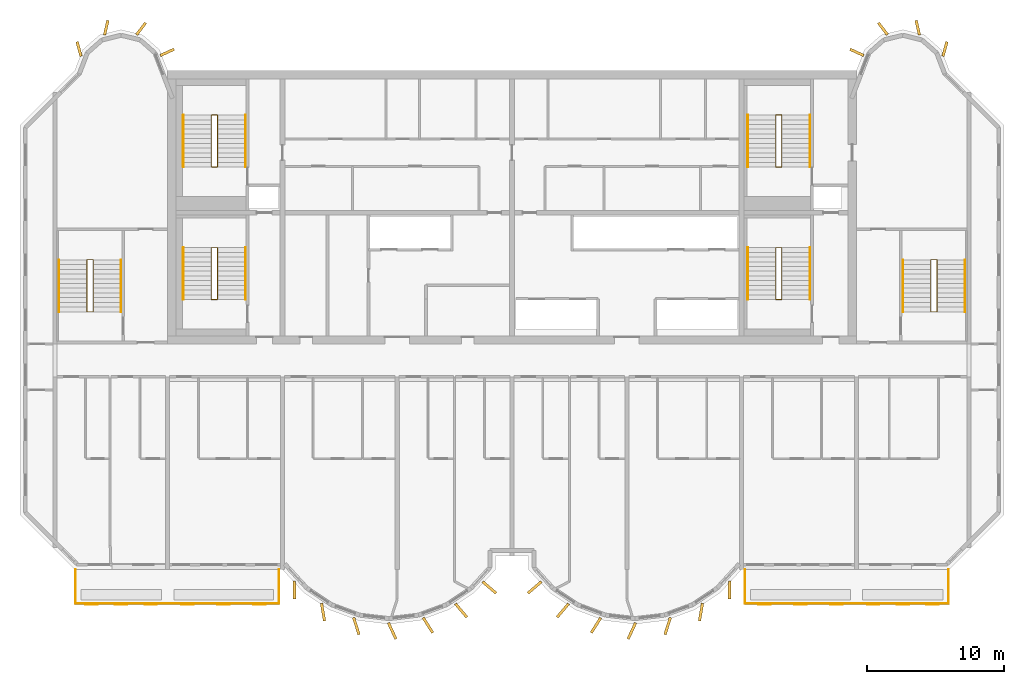
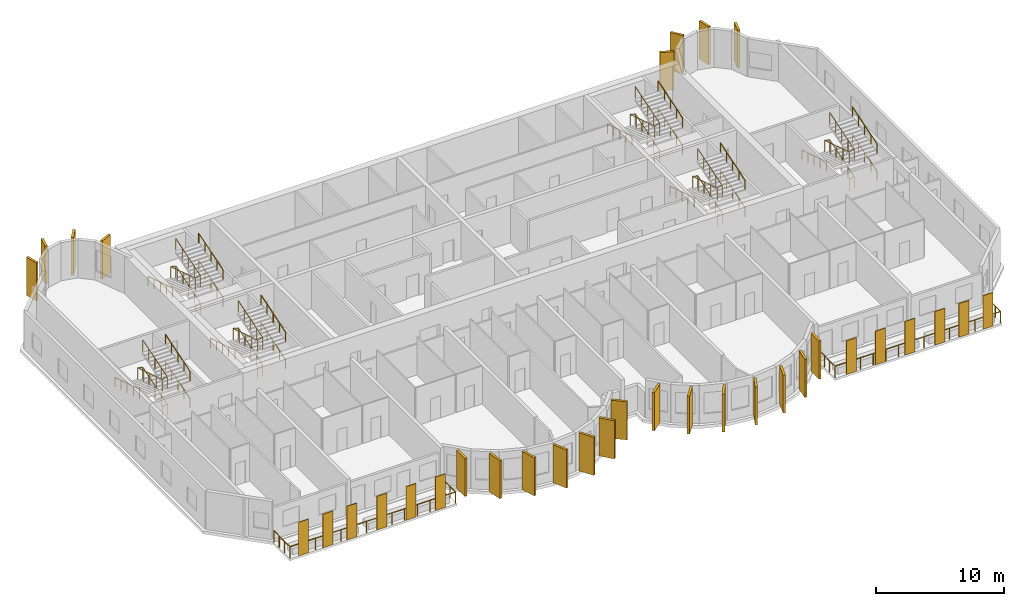
# One storey, part 10 of 11: 34 coverings, 26 railings.
"""IFC4 building model written with IfcOpenShell, lengths in metres."""

from ifc_helpers import new_model, si_unit, direction, frame, origin, origin_2d, place, context, subcontext, project, spatial, rectangle, circle, extrude, source, transform, mapped, material, layer, layer_set, material_profile, profile_set, type_object, element, save


model = new_model("IFC4")

# Units and contexts
model_context = context("Model", 3, precision=1e-05, world=origin(), true_north=direction((0.0, 1.0)))
body_context = subcontext(model_context, "Body", "Model", "MODEL_VIEW")
ifc_project = project(units=[si_unit("LENGTHUNIT", "METRE"), si_unit("AREAUNIT", "SQUARE_METRE"), si_unit("VOLUMEUNIT", "CUBIC_METRE"), si_unit("PLANEANGLEUNIT", "RADIAN"), si_unit("MASSUNIT", "GRAM", prefix="KILO")], contexts=[model_context])

# Site, building, storey
site_placement = place(None, origin())
site = spatial("IfcSite", under=ifc_project, at=site_placement, CompositionType="ELEMENT")
building_placement = place(site_placement, origin())
building = spatial("IfcBuilding", under=site, at=building_placement, Name="Vanashikhar Sky Hotel", CompositionType="ELEMENT")
storey_placement = place(building_placement, frame((0.0, 0.0, 260.800048828125)))
storey = spatial("IfcBuildingStorey", under=building, at=storey_placement, Name="L63", CompositionType="ELEMENT", Elevation=260.800048828125)

# Coverings
ifc_material_1 = material(Name="Terracotta", Category="masonry")
ifc_layer = layer(ifc_material_1, 0.06005859375)
ifc_layer_set = layer_set([ifc_layer], Name="Terracotta baguette screen")
covering_type_1 = type_object("IfcCoveringType", Name="Terracotta baguette screen", PredefinedType="CLADDING", material=ifc_layer_set)
shared_shape_1 = source(origin(), body_context, "Body", "SweptSolid", [
    extrude(rectangle(XDim=0.89990234375, YDim=0.06005859375, at=origin_2d()), origin(), (0.0, 0.0, 1.0), 3.199951171875),
])
for number, where, z_axis, x_axis, name in (
    (1, (19.63330078125, 2.929931640625, -0.0498046875), (0.0, 0.0, 1.0), (1.0, 0.0, 0.0), "Terracotta screen"),
    (2, (21.800048828125, 2.929931640625, -0.0498046875), (0.0, 0.0, 1.0), (1.0, 0.0, 0.0), "Terracotta screen"),
    (3, (23.966796875, 2.929931640625, -0.0498046875), (0.0, 0.0, 1.0), (1.0, 0.0, 0.0), "Terracotta screen"),
    (4, (26.666748046875, 2.929931640625, -0.0498046875), (0.0, 0.0, 1.0), (1.0, 0.0, 0.0), "Terracotta screen"),
    (5, (29.300048828125, 2.929931640625, -0.0498046875), (0.0, 0.0, 1.0), (1.0, 0.0, 0.0), "Terracotta screen"),
    (6, (31.933349609375, 2.929931640625, -0.0498046875), (0.0, 0.0, 1.0), (1.0, 0.0, 0.0), "Terracotta screen"),
    (7, (68.86669921875, 2.929931640625, -0.0498046875), (0.0, 0.0, 1.0), (1.0, 0.0, 0.0), "Terracotta screen"),
    (8, (71.5, 2.929931640625, -0.0498046875), (0.0, 0.0, 1.0), (1.0, 0.0, 0.0), "Terracotta screen"),
    (9, (74.13330078125, 2.929931640625, -0.0498046875), (0.0, 0.0, 1.0), (1.0, 0.0, 0.0), "Terracotta screen"),
    (10, (76.833251953125, 2.929931640625, -0.0498046875), (0.0, 0.0, 1.0), (1.0, 0.0, 0.0), "Terracotta screen"),
    (11, (79.0, 2.929931640625, -0.0498046875), (0.0, 0.0, 1.0), (1.0, 0.0, 0.0), "Terracotta screen"),
    (12, (81.166748046875, 2.929931640625, -0.0498046875), (0.0, 0.0, 1.0), (1.0, 0.0, 0.0), "Terracotta screen"),
):
    element("IfcCovering", number, at=place(storey_placement, frame(where, z_axis=z_axis, x_axis=x_axis)), inside=storey, type_object=covering_type_1, Name=name, PredefinedType="CLADDING", context=body_context, shape_type="MappedRepresentation", body=[
        mapped(shared_shape_1, transform((0.0, 0.0, 0.0), scale=1.0)),
    ])

# Railings
ifc_material_2 = material(Name="Stainless steel 316", Category="steel")
railing_type_1 = type_object("IfcRailingType", Name="Balcony guard 1100", PredefinedType="GUARDRAIL", material=ifc_material_2)
shared_shape_2 = source(origin(), body_context, "Body", "SweptSolid", [
    extrude(circle(Radius=0.02392578125, at=origin_2d()), frame((0.0, 0.0, 1.076171875), z_axis=(0.0, -1.0, 0.0), x_axis=(1.0, 0.0, 0.0)), (0.0, 0.0, 1.0), 2.5),
    extrude(circle(Radius=0.02392578125, at=origin_2d()), frame((0.0, -2.5, 1.076171875), z_axis=(1.0, 0.0, 0.0), x_axis=(0.0, 1.0, 0.0)), (0.0, 0.0, 1.0), 14.880126953125),
    extrude(circle(Radius=0.02392578125, at=origin_2d()), frame((14.880126953125, -2.5, 1.076171875), z_axis=(0.0, 1.0, 0.0), x_axis=(-1.0, 0.0, 0.0)), (0.0, 0.0, 1.0), 2.5),
    extrude(circle(Radius=0.02099609375, at=origin_2d()), origin(), (0.0, 0.0, 1.0), 1.052001953125),
    extrude(circle(Radius=0.02099609375, at=origin_2d()), frame((0.0, -0.833251953125, 0.0)), (0.0, 0.0, 1.0), 1.052001953125),
    extrude(circle(Radius=0.02099609375, at=origin_2d()), frame((0.0, -1.666748046875, 0.0)), (0.0, 0.0, 1.0), 1.052001953125),
    extrude(circle(Radius=0.02099609375, at=origin_2d()), frame((0.0, -2.5, 0.0)), (0.0, 0.0, 1.0), 1.052001953125),
    extrude(circle(Radius=0.02099609375, at=origin_2d()), frame((1.14453125, -2.5, 0.0)), (0.0, 0.0, 1.0), 1.052001953125),
    extrude(circle(Radius=0.02099609375, at=origin_2d()), frame((2.289306640625, -2.5, 0.0)), (0.0, 0.0, 1.0), 1.052001953125),
    extrude(circle(Radius=0.02099609375, at=origin_2d()), frame((3.433837890625, -2.5, 0.0)), (0.0, 0.0, 1.0), 1.052001953125),
    extrude(circle(Radius=0.02099609375, at=origin_2d()), frame((4.57861328125, -2.5, 0.0)), (0.0, 0.0, 1.0), 1.052001953125),
    extrude(circle(Radius=0.02099609375, at=origin_2d()), frame((5.72314453125, -2.5, 0.0)), (0.0, 0.0, 1.0), 1.052001953125),
    extrude(circle(Radius=0.02099609375, at=origin_2d()), frame((6.86767578125, -2.5, 0.0)), (0.0, 0.0, 1.0), 1.052001953125),
    extrude(circle(Radius=0.02099609375, at=origin_2d()), frame((8.012451171875, -2.5, 0.0)), (0.0, 0.0, 1.0), 1.052001953125),
    extrude(circle(Radius=0.02099609375, at=origin_2d()), frame((9.156982421875, -2.5, 0.0)), (0.0, 0.0, 1.0), 1.052001953125),
    extrude(circle(Radius=0.02099609375, at=origin_2d()), frame((10.301513671875, -2.5, 0.0)), (0.0, 0.0, 1.0), 1.052001953125),
    extrude(circle(Radius=0.02099609375, at=origin_2d()), frame((11.4462890625, -2.5, 0.0)), (0.0, 0.0, 1.0), 1.052001953125),
    extrude(circle(Radius=0.02099609375, at=origin_2d()), frame((12.5908203125, -2.5, 0.0)), (0.0, 0.0, 1.0), 1.052001953125),
    extrude(circle(Radius=0.02099609375, at=origin_2d()), frame((13.735595703125, -2.5, 0.0)), (0.0, 0.0, 1.0), 1.052001953125),
    extrude(circle(Radius=0.02099609375, at=origin_2d()), frame((14.880126953125, -2.5, 0.0)), (0.0, 0.0, 1.0), 1.052001953125),
    extrude(circle(Radius=0.02099609375, at=origin_2d()), frame((14.880126953125, -1.666748046875, 0.0)), (0.0, 0.0, 1.0), 1.052001953125),
    extrude(circle(Radius=0.02099609375, at=origin_2d()), frame((14.880126953125, -0.833251953125, 0.0)), (0.0, 0.0, 1.0), 1.052001953125),
    extrude(circle(Radius=0.02099609375, at=origin_2d()), frame((14.880126953125, 0.0, 0.0)), (0.0, 0.0, 1.0), 1.052001953125),
])
for number, where, name in (
    (13, (18.4599609375, 5.5, -0.050048828125), "Balcony guard"),
    (14, (67.4599609375, 5.5, -0.050048828125), "Balcony guard"),
):
    element("IfcRailing", number, at=place(storey_placement, frame(where)), inside=storey, type_object=railing_type_1, Name=name, PredefinedType="GUARDRAIL", context=body_context, shape_type="MappedRepresentation", body=[
        mapped(shared_shape_2, transform((0.0, 0.0, 0.0), scale=1.0)),
    ])

# Coverings
ifc_material_3 = material(Name="Concrete M60 dark", Category="concrete")
ifc_material_profile_1 = material_profile(ifc_material_3, rectangle(XDim=1.300048828125, YDim=0.199951171875, at=origin_2d()))
ifc_profile_set_1 = profile_set([ifc_material_profile_1], Name="Fin 1300 x 200")
covering_type_2 = type_object("IfcCoveringType", Name="Fin 1300 x 200", PredefinedType="CLADDING", material=ifc_profile_set_1)
shared_shape_3 = source(origin(), body_context, "Body", "SweptSolid", [
    extrude(rectangle(XDim=1.300048828125, YDim=0.199951171875, at=origin_2d()), origin(), (0.0, 0.0, 1.0), 3.619873046875),
])
for number, where, z_axis, x_axis, name in (
    (15, (34.482421875, 3.992919921875, 0.0), (0.0, 0.0, 1.0), (0.011588726826, -0.999932848451, 0.0), "Fin F1-1"),
    (16, (36.572509765625, 2.3779296875, 0.0), (0.0, 0.0, 1.0), (0.16989991575, -0.985461322746, 0.0), "Fin F1-2"),
    (17, (39.00830078125, 1.35693359375, 0.0), (0.0, 0.0, 1.0), (0.303966551867, -0.952682704444, 0.0), "Fin F1-3"),
    (18, (41.63232421875, 1.00146484375, 0.0), (0.0, 0.0, 1.0), (0.422618261741, -0.906307787037, 0.0), "Fin F1-4"),
    (19, (44.251953125, 1.416015625, 0.0), (0.0, 0.0, 1.0), (0.534411358496, -0.845224526331, 0.0), "Fin F1-5"),
    (20, (46.676025390625, 2.5, 0.0), (0.0, 0.0, 1.0), (0.645697609467, -0.763593214433, 0.0), "Fin F1-6"),
    (21, (48.7412109375, 4.1845703125, 0.0), (0.0, 0.0, 1.0), (0.758543912032, -0.65162192529, 0.0), "Fin F1-7"),
    (22, (52.058837890625, 4.1845703125, 0.0), (0.0, 0.0, 1.0), (-0.758543912032, -0.65162192529, 0.0), "Fin F2-1"),
    (23, (54.123779296875, 2.5, 0.0), (0.0, 0.0, 1.0), (-0.645697609467, -0.763593214433, 0.0), "Fin F2-2"),
    (24, (56.547119140625, 1.416015625, 0.0), (0.0, 0.0, 1.0), (-0.534411358496, -0.845224526331, 0.0), "Fin F2-3"),
    (25, (59.16748046875, 1.00146484375, 0.0), (0.0, 0.0, 1.0), (-0.422618261741, -0.906307787037, 0.0), "Fin F2-4"),
    (26, (61.790771484375, 1.35693359375, 0.0), (0.0, 0.0, 1.0), (-0.303966551867, -0.952682704444, 0.0), "Fin F2-5"),
    (27, (64.2275390625, 2.3779296875, 0.0), (0.0, 0.0, 1.0), (-0.16989991575, -0.985461322746, 0.0), "Fin F2-6"),
    (28, (66.317626953125, 3.992919921875, 0.0), (0.0, 0.0, 1.0), (-0.011588726826, -0.999932848451, 0.0), "Fin F2-7"),
):
    element("IfcCovering", number, at=place(storey_placement, frame(where, z_axis=z_axis, x_axis=x_axis)), inside=storey, type_object=covering_type_2, Name=name, PredefinedType="CLADDING", context=body_context, shape_type="MappedRepresentation", body=[
        mapped(shared_shape_3, transform((0.0, 0.0, 0.0), scale=1.0)),
    ])
ifc_material_profile_2 = material_profile(ifc_material_3, rectangle(XDim=1.10009765625, YDim=0.199951171875, at=origin_2d()))
ifc_profile_set_2 = profile_set([ifc_material_profile_2], Name="Rear lobe fin 1100 x 200")
covering_type_3 = type_object("IfcCoveringType", Name="Rear lobe fin 1100 x 200", PredefinedType="CLADDING", material=ifc_profile_set_2)
shared_shape_4 = source(origin(), body_context, "Body", "SweptSolid", [
    extrude(rectangle(XDim=1.10009765625, YDim=0.199951171875, at=origin_2d()), origin(), (0.0, 0.0, 1.0), 3.619873046875),
])
for number, where, z_axis, x_axis, name in (
    (29, (18.720703125, 43.580078125, 0.0), (0.0, 0.0, 1.0), (-0.262711264409, 0.964874495234, 0.0), "Fin R1-1"),
    (30, (20.710205078125, 45.1455078125, 0.0), (0.0, 0.0, 1.0), (0.224644935864, 0.974440687159, 0.0), "Fin R1-2"),
    (31, (23.261962890625, 45.06640625, 0.0), (0.0, 0.0, 1.0), (0.602065892195, 0.798446404874, 0.0), "Fin R1-3"),
    (32, (25.169677734375, 43.33447265625, 0.0), (0.0, 0.0, 1.0), (0.908004291068, 0.418960866193, 0.0), "Fin R1-4"),
    (33, (75.63037109375, 43.33447265625, 0.0), (0.0, 0.0, 1.0), (-0.908004291068, 0.418960866193, 0.0), "Fin R2-1"),
    (34, (77.5380859375, 45.06640625, 0.0), (0.0, 0.0, 1.0), (-0.602065892195, 0.798446404874, 0.0), "Fin R2-2"),
    (35, (80.08984375, 45.1455078125, 0.0), (0.0, 0.0, 1.0), (-0.224644935864, 0.974440687159, 0.0), "Fin R2-3"),
    (36, (82.0791015625, 43.580078125, 0.0), (0.0, 0.0, 1.0), (0.262711264409, 0.964874495234, 0.0), "Fin R2-4"),
):
    element("IfcCovering", number, at=place(storey_placement, frame(where, z_axis=z_axis, x_axis=x_axis)), inside=storey, type_object=covering_type_3, Name=name, PredefinedType="CLADDING", context=body_context, shape_type="MappedRepresentation", body=[
        mapped(shared_shape_4, transform((0.0, 0.0, 0.0), scale=1.0)),
    ])

# Railings
ifc_material_4 = material(Name="Steel S355", Category="steel")
railing_type_2 = type_object("IfcRailingType", Name="Stair handrail 900", PredefinedType="HANDRAIL", material=ifc_material_4)
shared_shape_5 = source(origin(), body_context, "Body", "SweptSolid", [
    extrude(circle(Radius=0.02392578125, at=origin_2d()), frame((0.0, 0.0, 0.8759765625), z_axis=(0.0, 0.95418390146, 0.299220791714), x_axis=(-1.0, 0.0, 0.0)), (0.0, 0.0, 1.0), 3.982421875),
    extrude(circle(Radius=0.02099609375, at=origin_2d()), origin(), (0.0, 0.0, 1.0), 0.851806640625),
    extrude(circle(Radius=0.02099609375, at=origin_2d()), frame((0.0, 0.949951171875, 0.2978515625)), (0.0, 0.0, 1.0), 0.851806640625),
    extrude(circle(Radius=0.02099609375, at=origin_2d()), frame((0.0, 1.89990234375, 0.595703125)), (0.0, 0.0, 1.0), 0.851806640625),
    extrude(circle(Radius=0.02099609375, at=origin_2d()), frame((0.0, 2.85009765625, 0.893798828125)), (0.0, 0.0, 1.0), 0.851806640625),
    extrude(circle(Radius=0.02099609375, at=origin_2d()), frame((0.0, 3.800048828125, 1.191650390625)), (0.0, 0.0, 1.0), 0.851806640625),
])
for number, where, name in (
    (37, (30.89990234375, 25.25, 0.1083984375), "Exit stair 1 handrail"),
    (38, (30.89990234375, 25.25, 2.708251953125), "Exit stair 1 handrail"),
    (39, (72.199951171875, 25.25, 0.1083984375), "Exit stair 2 handrail"),
    (40, (72.199951171875, 25.25, 2.708251953125), "Exit stair 2 handrail"),
    (41, (30.89990234375, 34.949951171875, 0.1083984375), "Exit stair 5 handrail"),
    (42, (30.89990234375, 34.949951171875, 2.708251953125), "Exit stair 5 handrail"),
    (43, (72.199951171875, 34.949951171875, 0.1083984375), "Exit stair 6 handrail"),
    (44, (72.199951171875, 34.949951171875, 2.708251953125), "Exit stair 6 handrail"),
):
    element("IfcRailing", number, at=place(storey_placement, frame(where)), inside=storey, type_object=railing_type_2, Name=name, PredefinedType="HANDRAIL", context=body_context, shape_type="MappedRepresentation", body=[
        mapped(shared_shape_5, transform((0.0, 0.0, 0.0), scale=1.0)),
    ])
shared_shape_6 = source(origin(), body_context, "Body", "SweptSolid", [
    extrude(circle(Radius=0.02392578125, at=origin_2d()), frame((0.0, 0.0, 0.8759765625), z_axis=(0.0, -0.95418390146, 0.299220791714), x_axis=(1.0, 0.0, 0.0)), (0.0, 0.0, 1.0), 3.982421875),
    extrude(circle(Radius=0.02099609375, at=origin_2d()), origin(), (0.0, 0.0, 1.0), 0.851806640625),
    extrude(circle(Radius=0.02099609375, at=origin_2d()), frame((0.0, -0.949951171875, 0.2978515625)), (0.0, 0.0, 1.0), 0.851806640625),
    extrude(circle(Radius=0.02099609375, at=origin_2d()), frame((0.0, -1.89990234375, 0.595703125)), (0.0, 0.0, 1.0), 0.851806640625),
    extrude(circle(Radius=0.02099609375, at=origin_2d()), frame((0.0, -2.85009765625, 0.893798828125)), (0.0, 0.0, 1.0), 0.851806640625),
    extrude(circle(Radius=0.02099609375, at=origin_2d()), frame((0.0, -3.800048828125, 1.191650390625)), (0.0, 0.0, 1.0), 0.851806640625),
])
for number, where, name in (
    (45, (26.35009765625, 29.050048828125, 1.408203125), "Exit stair 1 handrail"),
    (46, (67.64990234375, 29.050048828125, 1.408203125), "Exit stair 2 handrail"),
    (47, (26.35009765625, 38.75, 1.408203125), "Exit stair 5 handrail"),
    (48, (67.64990234375, 38.75, 1.408203125), "Exit stair 6 handrail"),
):
    element("IfcRailing", number, at=place(storey_placement, frame(where)), inside=storey, type_object=railing_type_2, Name=name, PredefinedType="HANDRAIL", context=body_context, shape_type="MappedRepresentation", body=[
        mapped(shared_shape_6, transform((0.0, 0.0, 0.0), scale=1.0)),
    ])
railing_type_3 = type_object("IfcRailingType", Name="Stair guard 1100", PredefinedType="GUARDRAIL", material=ifc_material_4)
shared_shape_7 = source(origin(), body_context, "Body", "SweptSolid", [
    extrude(circle(Radius=0.02392578125, at=origin_2d()), frame((0.0, 0.0, 1.076171875), z_axis=(0.972214749574, 0.0, 0.234090753151), x_axis=(0.0, 1.0, 0.0)), (0.0, 0.0, 1.0), 0.463134765625),
    extrude(circle(Radius=0.02392578125, at=origin_2d()), frame((0.4501953125, 0.0, 1.1845703125), z_axis=(0.0, 0.95418390146, 0.299220791714), x_axis=(-1.0, 0.0, 0.0)), (0.0, 0.0, 1.0), 3.982421875),
    extrude(circle(Radius=0.02392578125, at=origin_2d()), frame((0.4501953125, 3.800048828125, 2.3759765625), z_axis=(-0.972334627364, 0.0, 0.233592320999), x_axis=(0.0, -1.0, 0.0)), (0.0, 0.0, 1.0), 0.462890625),
    extrude(circle(Radius=0.02392578125, at=origin_2d()), frame((0.0, 3.800048828125, 2.484375), z_axis=(0.0, -0.95418390146, 0.299220791714), x_axis=(1.0, 0.0, 0.0)), (0.0, 0.0, 1.0), 3.982421875),
    extrude(circle(Radius=0.02392578125, at=origin_2d()), frame((0.0, 0.0, 3.67578125), z_axis=(0.972214749574, 0.0, 0.234090753151), x_axis=(0.0, 1.0, 0.0)), (0.0, 0.0, 1.0), 0.463134765625),
    extrude(circle(Radius=0.02392578125, at=origin_2d()), frame((0.4501953125, 0.0, 3.7841796875), z_axis=(0.0, 0.95418390146, 0.299220791714), x_axis=(-1.0, 0.0, 0.0)), (0.0, 0.0, 1.0), 3.982421875),
    extrude(circle(Radius=0.02099609375, at=origin_2d()), origin(), (0.0, 0.0, 1.0), 1.052001953125),
    extrude(circle(Radius=0.02099609375, at=origin_2d()), frame((0.4501953125, 0.0, 0.1083984375)), (0.0, 0.0, 1.0), 1.052001953125),
    extrude(circle(Radius=0.02099609375, at=origin_2d()), frame((0.4501953125, 0.949951171875, 0.40625)), (0.0, 0.0, 1.0), 1.052001953125),
    extrude(circle(Radius=0.02099609375, at=origin_2d()), frame((0.4501953125, 1.89990234375, 0.7041015625)), (0.0, 0.0, 1.0), 1.052001953125),
    extrude(circle(Radius=0.02099609375, at=origin_2d()), frame((0.4501953125, 2.85009765625, 1.002197265625)), (0.0, 0.0, 1.0), 1.052001953125),
    extrude(circle(Radius=0.02099609375, at=origin_2d()), frame((0.4501953125, 3.800048828125, 1.300048828125)), (0.0, 0.0, 1.0), 1.052001953125),
    extrude(circle(Radius=0.02099609375, at=origin_2d()), frame((0.0, 3.800048828125, 1.408203125)), (0.0, 0.0, 1.0), 1.052001953125),
    extrude(circle(Radius=0.02099609375, at=origin_2d()), frame((0.0, 2.85009765625, 1.7060546875)), (0.0, 0.0, 1.0), 1.052001953125),
    extrude(circle(Radius=0.02099609375, at=origin_2d()), frame((0.0, 1.89990234375, 2.00390625)), (0.0, 0.0, 1.0), 1.052001953125),
    extrude(circle(Radius=0.02099609375, at=origin_2d()), frame((0.0, 0.949951171875, 2.302001953125)), (0.0, 0.0, 1.0), 1.052001953125),
    extrude(circle(Radius=0.02099609375, at=origin_2d()), frame((0.0, 0.0, 2.599853515625)), (0.0, 0.0, 1.0), 1.052001953125),
    extrude(circle(Radius=0.02099609375, at=origin_2d()), frame((0.4501953125, 0.0, 2.708251953125)), (0.0, 0.0, 1.0), 1.052001953125),
    extrude(circle(Radius=0.02099609375, at=origin_2d()), frame((0.4501953125, 0.949951171875, 3.006103515625)), (0.0, 0.0, 1.0), 1.052001953125),
    extrude(circle(Radius=0.02099609375, at=origin_2d()), frame((0.4501953125, 1.89990234375, 3.30419921875)), (0.0, 0.0, 1.0), 1.052001953125),
    extrude(circle(Radius=0.02099609375, at=origin_2d()), frame((0.4501953125, 2.85009765625, 3.60205078125)), (0.0, 0.0, 1.0), 1.052001953125),
    extrude(circle(Radius=0.02099609375, at=origin_2d()), frame((0.4501953125, 3.800048828125, 3.89990234375)), (0.0, 0.0, 1.0), 1.052001953125),
])
for number, where, name in (
    (49, (28.39990234375, 25.25, 0.0), "Exit stair 1 guard"),
    (50, (28.39990234375, 34.949951171875, 0.0), "Exit stair 5 guard"),
):
    element("IfcRailing", number, at=place(storey_placement, frame(where)), inside=storey, type_object=railing_type_3, Name=name, PredefinedType="GUARDRAIL", context=body_context, shape_type="MappedRepresentation", body=[
        mapped(shared_shape_7, transform((0.0, 0.0, 0.0), scale=1.0)),
    ])
shared_shape_8 = source(origin(), body_context, "Body", "SweptSolid", [
    extrude(circle(Radius=0.02392578125, at=origin_2d()), frame((0.0, 0.0, 1.076171875), z_axis=(0.972185835864, 0.0, 0.234210803648), x_axis=(0.0, 1.0, 0.0)), (0.0, 0.0, 1.0), 0.462890625),
    extrude(circle(Radius=0.02392578125, at=origin_2d()), frame((0.449951171875, 0.0, 1.1845703125), z_axis=(0.0, 0.95418390146, 0.299220791714), x_axis=(-1.0, 0.0, 0.0)), (0.0, 0.0, 1.0), 3.982421875),
    extrude(circle(Radius=0.02392578125, at=origin_2d()), frame((0.449951171875, 3.800048828125, 2.3759765625), z_axis=(-0.972305833095, 0.0, 0.233712145448), x_axis=(0.0, -1.0, 0.0)), (0.0, 0.0, 1.0), 0.462646484375),
    extrude(circle(Radius=0.02392578125, at=origin_2d()), frame((0.0, 3.800048828125, 2.484375), z_axis=(0.0, -0.95418390146, 0.299220791714), x_axis=(1.0, 0.0, 0.0)), (0.0, 0.0, 1.0), 3.982421875),
    extrude(circle(Radius=0.02392578125, at=origin_2d()), frame((0.0, 0.0, 3.67578125), z_axis=(0.972185835864, 0.0, 0.234210803648), x_axis=(0.0, 1.0, 0.0)), (0.0, 0.0, 1.0), 0.462890625),
    extrude(circle(Radius=0.02392578125, at=origin_2d()), frame((0.449951171875, 0.0, 3.7841796875), z_axis=(0.0, 0.95418390146, 0.299220791714), x_axis=(-1.0, 0.0, 0.0)), (0.0, 0.0, 1.0), 3.982421875),
    extrude(circle(Radius=0.02099609375, at=origin_2d()), origin(), (0.0, 0.0, 1.0), 1.052001953125),
    extrude(circle(Radius=0.02099609375, at=origin_2d()), frame((0.449951171875, 0.0, 0.1083984375)), (0.0, 0.0, 1.0), 1.052001953125),
    extrude(circle(Radius=0.02099609375, at=origin_2d()), frame((0.449951171875, 0.949951171875, 0.40625)), (0.0, 0.0, 1.0), 1.052001953125),
    extrude(circle(Radius=0.02099609375, at=origin_2d()), frame((0.449951171875, 1.89990234375, 0.7041015625)), (0.0, 0.0, 1.0), 1.052001953125),
    extrude(circle(Radius=0.02099609375, at=origin_2d()), frame((0.449951171875, 2.85009765625, 1.002197265625)), (0.0, 0.0, 1.0), 1.052001953125),
    extrude(circle(Radius=0.02099609375, at=origin_2d()), frame((0.449951171875, 3.800048828125, 1.300048828125)), (0.0, 0.0, 1.0), 1.052001953125),
    extrude(circle(Radius=0.02099609375, at=origin_2d()), frame((0.0, 3.800048828125, 1.408203125)), (0.0, 0.0, 1.0), 1.052001953125),
    extrude(circle(Radius=0.02099609375, at=origin_2d()), frame((0.0, 2.85009765625, 1.7060546875)), (0.0, 0.0, 1.0), 1.052001953125),
    extrude(circle(Radius=0.02099609375, at=origin_2d()), frame((0.0, 1.89990234375, 2.00390625)), (0.0, 0.0, 1.0), 1.052001953125),
    extrude(circle(Radius=0.02099609375, at=origin_2d()), frame((0.0, 0.949951171875, 2.302001953125)), (0.0, 0.0, 1.0), 1.052001953125),
    extrude(circle(Radius=0.02099609375, at=origin_2d()), frame((0.0, 0.0, 2.599853515625)), (0.0, 0.0, 1.0), 1.052001953125),
    extrude(circle(Radius=0.02099609375, at=origin_2d()), frame((0.449951171875, 0.0, 2.708251953125)), (0.0, 0.0, 1.0), 1.052001953125),
    extrude(circle(Radius=0.02099609375, at=origin_2d()), frame((0.449951171875, 0.949951171875, 3.006103515625)), (0.0, 0.0, 1.0), 1.052001953125),
    extrude(circle(Radius=0.02099609375, at=origin_2d()), frame((0.449951171875, 1.89990234375, 3.30419921875)), (0.0, 0.0, 1.0), 1.052001953125),
    extrude(circle(Radius=0.02099609375, at=origin_2d()), frame((0.449951171875, 2.85009765625, 3.60205078125)), (0.0, 0.0, 1.0), 1.052001953125),
    extrude(circle(Radius=0.02099609375, at=origin_2d()), frame((0.449951171875, 3.800048828125, 3.89990234375)), (0.0, 0.0, 1.0), 1.052001953125),
])
for number, where, name in (
    (51, (69.699951171875, 25.25, 0.0), "Exit stair 2 guard"),
    (52, (69.699951171875, 34.949951171875, 0.0), "Exit stair 6 guard"),
):
    element("IfcRailing", number, at=place(storey_placement, frame(where)), inside=storey, type_object=railing_type_3, Name=name, PredefinedType="GUARDRAIL", context=body_context, shape_type="MappedRepresentation", body=[
        mapped(shared_shape_8, transform((0.0, 0.0, 0.0), scale=1.0)),
    ])
shared_shape_9 = source(origin(), body_context, "Body", "SweptSolid", [
    extrude(circle(Radius=0.02392578125, at=origin_2d()), frame((0.0, 0.0, 0.8759765625), z_axis=(0.0, 0.954178412317, 0.299238295459), x_axis=(-1.0, 0.0, 0.0)), (0.0, 0.0, 1.0), 3.982177734375),
    extrude(circle(Radius=0.02099609375, at=origin_2d()), origin(), (0.0, 0.0, 1.0), 0.851806640625),
    extrude(circle(Radius=0.02099609375, at=origin_2d()), frame((0.0, 0.949951171875, 0.2978515625)), (0.0, 0.0, 1.0), 0.851806640625),
    extrude(circle(Radius=0.02099609375, at=origin_2d()), frame((0.0, 1.89990234375, 0.595703125)), (0.0, 0.0, 1.0), 0.851806640625),
    extrude(circle(Radius=0.02099609375, at=origin_2d()), frame((0.0, 2.849853515625, 0.893798828125)), (0.0, 0.0, 1.0), 0.851806640625),
    extrude(circle(Radius=0.02099609375, at=origin_2d()), frame((0.0, 3.7998046875, 1.191650390625)), (0.0, 0.0, 1.0), 0.851806640625),
])
for number, where, name in (
    (53, (21.800048828125, 24.35009765625, 0.1083984375), "Exit stair 3 handrail"),
    (54, (21.800048828125, 24.35009765625, 2.708251953125), "Exit stair 3 handrail"),
    (55, (83.550048828125, 24.35009765625, 0.1083984375), "Exit stair 4 handrail"),
    (56, (83.550048828125, 24.35009765625, 2.708251953125), "Exit stair 4 handrail"),
):
    element("IfcRailing", number, at=place(storey_placement, frame(where)), inside=storey, type_object=railing_type_2, Name=name, PredefinedType="HANDRAIL", context=body_context, shape_type="MappedRepresentation", body=[
        mapped(shared_shape_9, transform((0.0, 0.0, 0.0), scale=1.0)),
    ])
shared_shape_10 = source(origin(), body_context, "Body", "SweptSolid", [
    extrude(circle(Radius=0.02392578125, at=origin_2d()), frame((0.0, 0.0, 0.8759765625), z_axis=(0.0, -0.954178412317, 0.299238295459), x_axis=(1.0, 0.0, 0.0)), (0.0, 0.0, 1.0), 3.982177734375),
    extrude(circle(Radius=0.02099609375, at=origin_2d()), origin(), (0.0, 0.0, 1.0), 0.851806640625),
    extrude(circle(Radius=0.02099609375, at=origin_2d()), frame((0.0, -0.949951171875, 0.2978515625)), (0.0, 0.0, 1.0), 0.851806640625),
    extrude(circle(Radius=0.02099609375, at=origin_2d()), frame((0.0, -1.89990234375, 0.595703125)), (0.0, 0.0, 1.0), 0.851806640625),
    extrude(circle(Radius=0.02099609375, at=origin_2d()), frame((0.0, -2.849853515625, 0.893798828125)), (0.0, 0.0, 1.0), 0.851806640625),
    extrude(circle(Radius=0.02099609375, at=origin_2d()), frame((0.0, -3.7998046875, 1.191650390625)), (0.0, 0.0, 1.0), 0.851806640625),
])
for number, where, name in (
    (57, (17.25, 28.14990234375, 1.408203125), "Exit stair 3 handrail"),
    (58, (79.0, 28.14990234375, 1.408203125), "Exit stair 4 handrail"),
):
    element("IfcRailing", number, at=place(storey_placement, frame(where)), inside=storey, type_object=railing_type_2, Name=name, PredefinedType="HANDRAIL", context=body_context, shape_type="MappedRepresentation", body=[
        mapped(shared_shape_10, transform((0.0, 0.0, 0.0), scale=1.0)),
    ])
shared_shape_11 = source(origin(), body_context, "Body", "SweptSolid", [
    extrude(circle(Radius=0.02392578125, at=origin_2d()), frame((0.0, 0.0, 1.076171875), z_axis=(0.972185835864, 0.0, 0.234210803648), x_axis=(0.0, 1.0, 0.0)), (0.0, 0.0, 1.0), 0.462890625),
    extrude(circle(Radius=0.02392578125, at=origin_2d()), frame((0.449951171875, 0.0, 1.1845703125), z_axis=(0.0, 0.954178412317, 0.299238295459), x_axis=(-1.0, 0.0, 0.0)), (0.0, 0.0, 1.0), 3.982177734375),
    extrude(circle(Radius=0.02392578125, at=origin_2d()), frame((0.449951171875, 3.7998046875, 2.3759765625), z_axis=(-0.972305833095, 0.0, 0.233712145448), x_axis=(0.0, -1.0, 0.0)), (0.0, 0.0, 1.0), 0.462646484375),
    extrude(circle(Radius=0.02392578125, at=origin_2d()), frame((0.0, 3.7998046875, 2.484375), z_axis=(0.0, -0.954178412317, 0.299238295459), x_axis=(1.0, 0.0, 0.0)), (0.0, 0.0, 1.0), 3.982177734375),
    extrude(circle(Radius=0.02392578125, at=origin_2d()), frame((0.0, 0.0, 3.67578125), z_axis=(0.972185835864, 0.0, 0.234210803648), x_axis=(0.0, 1.0, 0.0)), (0.0, 0.0, 1.0), 0.462890625),
    extrude(circle(Radius=0.02392578125, at=origin_2d()), frame((0.449951171875, 0.0, 3.7841796875), z_axis=(0.0, 0.954178412317, 0.299238295459), x_axis=(-1.0, 0.0, 0.0)), (0.0, 0.0, 1.0), 3.982177734375),
    extrude(circle(Radius=0.02099609375, at=origin_2d()), origin(), (0.0, 0.0, 1.0), 1.052001953125),
    extrude(circle(Radius=0.02099609375, at=origin_2d()), frame((0.449951171875, 0.0, 0.1083984375)), (0.0, 0.0, 1.0), 1.052001953125),
    extrude(circle(Radius=0.02099609375, at=origin_2d()), frame((0.449951171875, 0.949951171875, 0.40625)), (0.0, 0.0, 1.0), 1.052001953125),
    extrude(circle(Radius=0.02099609375, at=origin_2d()), frame((0.449951171875, 1.89990234375, 0.7041015625)), (0.0, 0.0, 1.0), 1.052001953125),
    extrude(circle(Radius=0.02099609375, at=origin_2d()), frame((0.449951171875, 2.849853515625, 1.002197265625)), (0.0, 0.0, 1.0), 1.052001953125),
    extrude(circle(Radius=0.02099609375, at=origin_2d()), frame((0.449951171875, 3.7998046875, 1.300048828125)), (0.0, 0.0, 1.0), 1.052001953125),
    extrude(circle(Radius=0.02099609375, at=origin_2d()), frame((0.0, 3.7998046875, 1.408203125)), (0.0, 0.0, 1.0), 1.052001953125),
    extrude(circle(Radius=0.02099609375, at=origin_2d()), frame((0.0, 2.849853515625, 1.7060546875)), (0.0, 0.0, 1.0), 1.052001953125),
    extrude(circle(Radius=0.02099609375, at=origin_2d()), frame((0.0, 1.89990234375, 2.00390625)), (0.0, 0.0, 1.0), 1.052001953125),
    extrude(circle(Radius=0.02099609375, at=origin_2d()), frame((0.0, 0.949951171875, 2.302001953125)), (0.0, 0.0, 1.0), 1.052001953125),
    extrude(circle(Radius=0.02099609375, at=origin_2d()), frame((0.0, 0.0, 2.599853515625)), (0.0, 0.0, 1.0), 1.052001953125),
    extrude(circle(Radius=0.02099609375, at=origin_2d()), frame((0.449951171875, 0.0, 2.708251953125)), (0.0, 0.0, 1.0), 1.052001953125),
    extrude(circle(Radius=0.02099609375, at=origin_2d()), frame((0.449951171875, 0.949951171875, 3.006103515625)), (0.0, 0.0, 1.0), 1.052001953125),
    extrude(circle(Radius=0.02099609375, at=origin_2d()), frame((0.449951171875, 1.89990234375, 3.30419921875)), (0.0, 0.0, 1.0), 1.052001953125),
    extrude(circle(Radius=0.02099609375, at=origin_2d()), frame((0.449951171875, 2.849853515625, 3.60205078125)), (0.0, 0.0, 1.0), 1.052001953125),
    extrude(circle(Radius=0.02099609375, at=origin_2d()), frame((0.449951171875, 3.7998046875, 3.89990234375)), (0.0, 0.0, 1.0), 1.052001953125),
])
for number, where, name in (
    (59, (19.300048828125, 24.35009765625, 0.0), "Exit stair 3 guard"),
    (60, (81.050048828125, 24.35009765625, 0.0), "Exit stair 4 guard"),
):
    element("IfcRailing", number, at=place(storey_placement, frame(where)), inside=storey, type_object=railing_type_3, Name=name, PredefinedType="GUARDRAIL", context=body_context, shape_type="MappedRepresentation", body=[
        mapped(shared_shape_11, transform((0.0, 0.0, 0.0), scale=1.0)),
    ])

save(model, "model.ifc")
